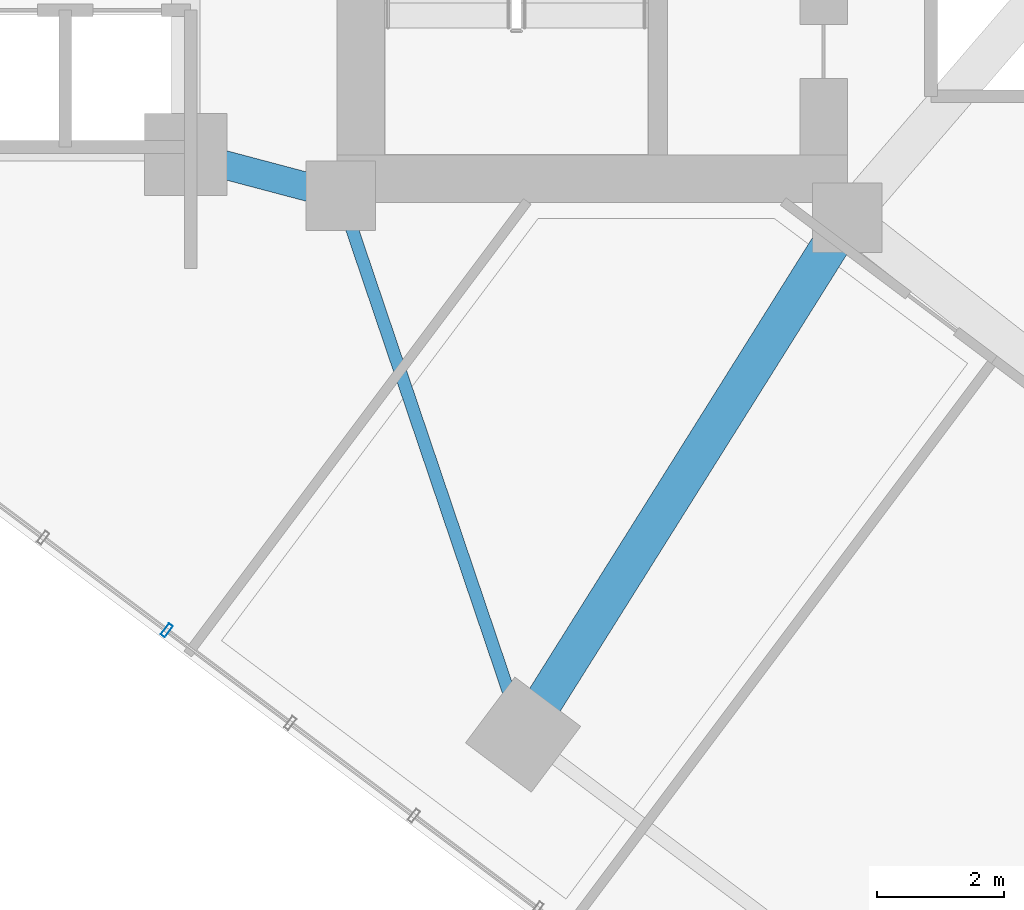
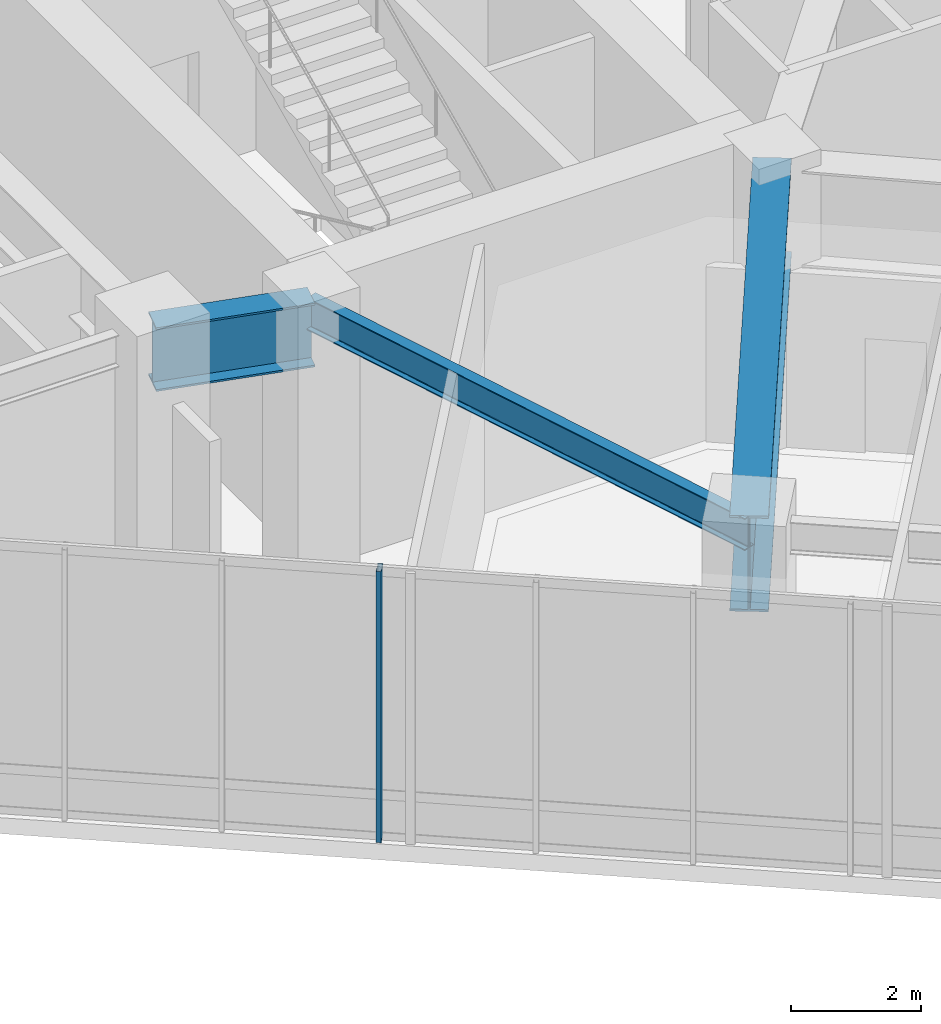
# One storey, part 12 of 38: 3 beams, 1 member, 1 element without a shape of its own.
"""IFC4 building model written with IfcOpenShell, lengths in metres."""

from ifc_helpers import new_model, si_unit, direction, frame, origin, origin_2d, place, context, subcontext, project, spatial, hollow_rectangle, i_section, extrude, material, layer, layer_set, material_profile, profile_set, type_object, element, aggregate, save


model = new_model("IFC4")

# Units and contexts
model_context = context("Model", 3, precision=1e-05, world=origin(), true_north=direction((0.0, 1.0)))
body_context = subcontext(model_context, "Body", "Model", "MODEL_VIEW")
ifc_project = project(units=[si_unit("LENGTHUNIT", "METRE"), si_unit("AREAUNIT", "SQUARE_METRE"), si_unit("VOLUMEUNIT", "CUBIC_METRE"), si_unit("PLANEANGLEUNIT", "RADIAN"), si_unit("MASSUNIT", "GRAM", prefix="KILO")], contexts=[model_context])

# Site, building, storey
site_placement = place(None, origin())
site = spatial("IfcSite", under=ifc_project, at=site_placement, CompositionType="ELEMENT")
building_placement = place(site_placement, origin())
building = spatial("IfcBuilding", under=site, at=building_placement, Name="Hatsunagi Terrace Concourse", CompositionType="ELEMENT")
storey_placement = place(building_placement, frame((0.0, 0.0, 21.60009765625)))
storey = spatial("IfcBuildingStorey", under=building, at=storey_placement, Name="L05", CompositionType="ELEMENT", Elevation=21.60009765625)

# Curtain wall, member
ifc_material_1 = material(Name="Anodised Aluminium Alloy 6063-T5", Category="aluminium")
ifc_layer = layer(ifc_material_1, 0.199951171875)
ifc_layer_set = layer_set([ifc_layer], Name="PodiumStorefront_CW01")
curtain_wall_type = type_object("IfcCurtainWallType", Name="PodiumStorefront_CW01", PredefinedType="NOTDEFINED", material=ifc_layer_set)
curtain_wall_placement = place(storey_placement, origin())
curtain_wall = element("IfcCurtainWall", 1, at=curtain_wall_placement, inside=storey, type_object=curtain_wall_type, Name="Unitised Curtain Wall CW-01 CW-L05-05", PredefinedType="NOTDEFINED")
ifc_material_2 = material(Name="Anodised Aluminium Alloy 6063-T5", Category="aluminium")
ifc_material_profile_1 = material_profile(ifc_material_2, hollow_rectangle(XDim=0.080078125, YDim=0.219970703125, WallThickness=0.0048828125, at=origin_2d()), Name="ALU-MUL-220x80x5")
ifc_profile_set_1 = profile_set([ifc_material_profile_1], Name="Anodised Aluminium Alloy 6063-T5")
member_type = type_object("IfcMemberType", Name="CurtainWallMullion_Heavy_220x80", PredefinedType="MULLION", material=ifc_profile_set_1)
member_placement = place(storey_placement, frame((33.052978515625, 17.68603515625, 0.0), z_axis=(0.0, 0.0, 1.0), x_axis=(-0.800003116929, 0.599995844072, 0.0)))
member = element("IfcMember", 2, at=member_placement, type_object=member_type, Name="Curtain Wall Mullion MUL-01", PredefinedType="MULLION", context=body_context, shape_type="SweptSolid", body=[
    extrude(hollow_rectangle(XDim=0.080078125, YDim=0.219970703125, WallThickness=0.0048828125, at=origin_2d()), origin(), (0.0, 0.0, 1.0), 5.099853515625),
])
aggregate(curtain_wall, [member])

# Beams
ifc_material_3 = material(Name="Steel SN490B", Category="steel")
ifc_material_profile_2 = material_profile(ifc_material_3, i_section(OverallWidth=0.199951171875, OverallDepth=0.60009765625, WebThickness=0.010986328125, FlangeThickness=0.01708984375, FilletRadius=0.01806640625, at=origin_2d()), Name="H-600x200x11x17")
ifc_profile_set_2 = profile_set([ifc_material_profile_2], Name="Steel SN490B")
beam_type_1 = type_object("IfcBeamType", Name="PerimeterSpandrel_H_600x200", PredefinedType="SPANDREL", material=ifc_profile_set_2)
beam_1_placement = place(storey_placement, frame((35.800048828125, 24.550048828125, 4.7998046875), z_axis=(0.320553412271, -0.947230441805, 0.0), x_axis=(0.947230441805, 0.320553412271, 0.0)))
element("IfcBeam", 3, at=beam_1_placement, inside=storey, type_object=beam_type_1, Name="Beam SP-01 BM-L05-SE-SW0", PredefinedType="SPANDREL", context=body_context, shape_type="SweptSolid", body=[
    extrude(i_section(OverallWidth=0.199951171875, OverallDepth=0.60009765625, WebThickness=0.010986328125, FlangeThickness=0.01708984375, FilletRadius=0.01806640625, at=origin_2d()), origin(), (0.0, 0.0, 1.0), 8.984130859375),
])
ifc_material_4 = material(Name="Steel SN490B", Category="steel")
ifc_material_profile_3 = material_profile(ifc_material_4, i_section(OverallWidth=0.449951171875, OverallDepth=1.199951171875, WebThickness=0.02490234375, FlangeThickness=0.035888671875, at=origin_2d()), Name="BH-1200x450x25x36")
ifc_profile_set_3 = profile_set([ifc_material_profile_3], Name="Steel SN490B")
beam_type_2 = type_object("IfcBeamType", Name="PodiumHallGirder_BH_1200x450x25x36", PredefinedType="BEAM", material=ifc_profile_set_3)
beam_2_placement = place(storey_placement, frame((33.35009765625, 25.199951171875, 4.5), z_axis=(0.966569840116, -0.256403479262, 0.0), x_axis=(0.256403479262, 0.966569840116, 0.0)))
element("IfcBeam", 4, at=beam_2_placement, inside=storey, type_object=beam_type_2, Name="Beam G-01 BM-L05-K2CB", PredefinedType="BEAM", context=body_context, shape_type="SweptSolid", body=[
    extrude(i_section(OverallWidth=0.449951171875, OverallDepth=1.199951171875, WebThickness=0.02490234375, FlangeThickness=0.035888671875, at=origin_2d()), origin(), (0.0, 0.0, 1.0), 2.53466796875),
])
ifc_material_5 = material(Name="Steel SN490C", Category="steel")
ifc_material_profile_4 = material_profile(ifc_material_5, i_section(OverallWidth=0.60009765625, OverallDepth=1.800048828125, WebThickness=0.031982421875, FlangeThickness=0.0400390625, at=origin_2d()), Name="BH-1800x600x32x40")
ifc_profile_set_4 = profile_set([ifc_material_profile_4], Name="Steel SN490C")
beam_type_3 = type_object("IfcBeamType", Name="TransferGirder_BH_1800x600x32x40", PredefinedType="USERDEFINED", material=ifc_profile_set_4)
beam_3_placement = place(storey_placement, frame((38.679931640625, 16.0400390625, 4.199951171875), z_axis=(0.531503907049, 0.847055840421, 0.0), x_axis=(-0.847055840421, 0.531503907049, 0.0)))
element("IfcBeam", 5, at=beam_3_placement, inside=storey, type_object=beam_type_3, Name="Transfer girder TG-01 TG-L05-SE-1A", ObjectType="TRANSFER_GIRDER", PredefinedType="USERDEFINED", context=body_context, shape_type="SweptSolid", body=[
    extrude(i_section(OverallWidth=0.60009765625, OverallDepth=1.800048828125, WebThickness=0.031982421875, FlangeThickness=0.0400390625, at=origin_2d()), origin(), (0.0, 0.0, 1.0), 9.63330078125),
])

save(model, "model.ifc")
